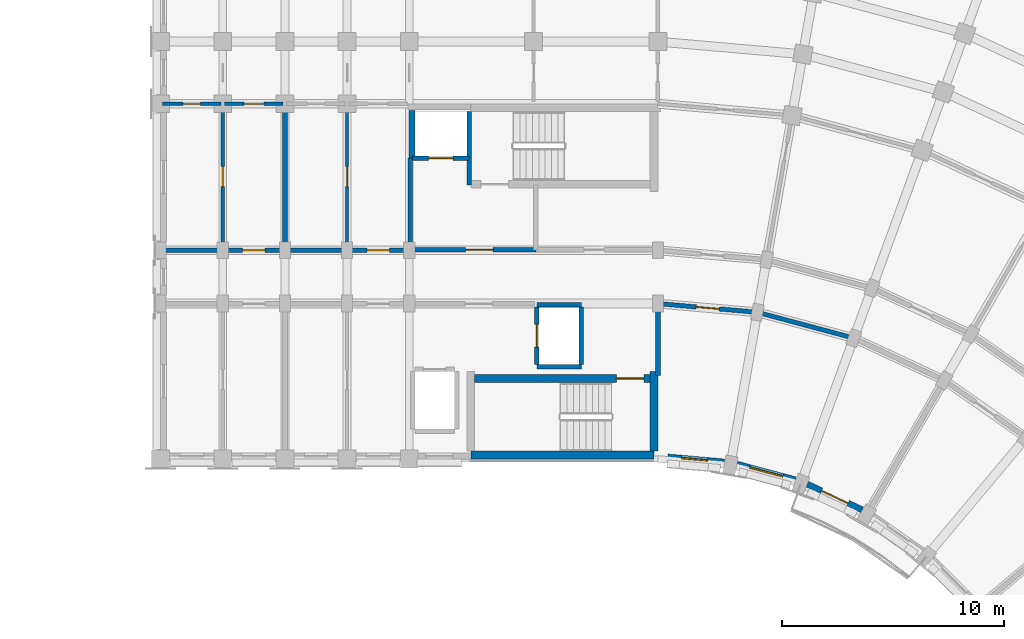
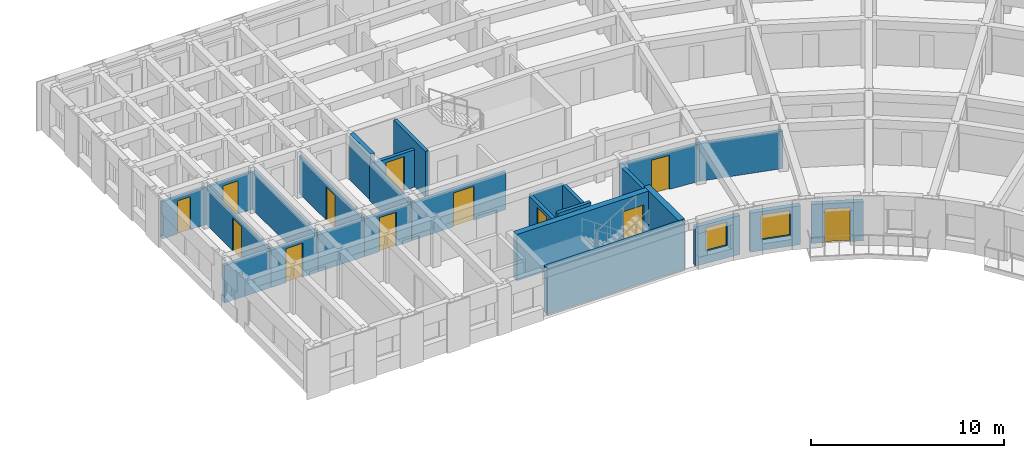
# One storey, part 49 of 76: 27 walls, 12 doors, 2 windows, 14 openings.
"""IFC4 building model written with IfcOpenShell, lengths in metres."""

from ifc_helpers import new_model, si_unit, direction, frame, frame_2d, origin, place, context, subcontext, project, spatial, rectangle, extrude, material, layer, layer_set, type_object, element, fill, save


model = new_model("IFC4")

# Units and contexts
model_context = context("Model", 3, precision=1e-05, world=origin(), true_north=direction((0.0, 1.0)))
body_context = subcontext(model_context, "Body", "Model", "MODEL_VIEW")
ifc_project = project(units=[si_unit("LENGTHUNIT", "METRE"), si_unit("AREAUNIT", "SQUARE_METRE"), si_unit("VOLUMEUNIT", "CUBIC_METRE"), si_unit("PLANEANGLEUNIT", "RADIAN"), si_unit("MASSUNIT", "GRAM", prefix="KILO")], contexts=[model_context])

# Site, building, storey
site_placement = place(None, origin())
site = spatial("IfcSite", under=ifc_project, at=site_placement, CompositionType="ELEMENT")
building_placement = place(site_placement, origin())
building = spatial("IfcBuilding", under=site, at=building_placement, Name="Kiranvali Square Residences", CompositionType="ELEMENT")
storey_placement = place(building_placement, frame((0.0, 0.0, 8.699951171875)))
storey = spatial("IfcBuildingStorey", under=building, at=storey_placement, Name="L02", CompositionType="ELEMENT", Elevation=8.699951171875)

# Wall, opening, door
ifc_material_1 = material(Name="Autoclaved aerated concrete blockwork masonry", Category="masonry")
ifc_layer_1 = layer(ifc_material_1, 0.199951171875)
ifc_layer_set_1 = layer_set([ifc_layer_1], Name="Autoclaved aerated concrete blockwork masonry")
wall_type_1 = type_object("IfcWallType", Name="WL-COR-200", PredefinedType="STANDARD", material=ifc_layer_set_1)
wall_1_placement = place(storey_placement, frame((108.60009765625, 116.0, 0.0), z_axis=(0.0, 0.0, 1.0), x_axis=(-1.0, 0.0, 0.0)))
wall_1 = element("IfcWall", 1, at=wall_1_placement, inside=storey, type_object=wall_type_1, Name="L02 architectural wall WL-L02-B-A1CO-0", PredefinedType="STANDARD", context=body_context, shape_type="SweptSolid", body=[
    extrude(rectangle(XDim=2.800048828125, YDim=0.199951171875, at=frame_2d((1.39990234375, 0.0))), origin(), (0.0, 0.0, 1.0), 2.3720703125),
])
opening_1_placement = place(wall_1_placement, frame((0.89990234375, 0.0, 0.0)))
opening_1 = element("IfcOpeningElement", 2, at=opening_1_placement, cuts=wall_1, Name="Opening FD-APT-60", PredefinedType="OPENING", context=body_context, shape_type="SweptSolid", body=[
    extrude(rectangle(XDim=1.0, YDim=2.14990234375, at=frame_2d((0.5, 1.074951171875))), frame((0.0, 0.10986328125, 0.0), z_axis=(0.0, -1.0, 0.0), x_axis=(1.0, 0.0, 0.0)), (0.0, 0.0, 1.0), 0.219970703125),
])
ifc_material_2 = material(Name="Fire-rated acoustic hardwood and mineral-core door assembly", Category="wood")
door_type_1 = type_object("IfcDoorType", Name="DR-APT-1000", OperationType="NOTDEFINED", PredefinedType="DOOR", material=ifc_material_2)
door_1_placement = place(opening_1_placement, origin())
door_1 = element("IfcDoor", 3, at=door_1_placement, inside=storey, type_object=door_type_1, Name="L02 door DR-L02-1077 (DR-APT-1000)", OperationType="SINGLE_SWING_LEFT", OverallHeight=2.14990234375, OverallWidth=1.0, PredefinedType="DOOR", context=body_context, shape_type="SweptSolid", body=[
    extrude(rectangle(XDim=1.0, YDim=2.14990234375, at=frame_2d((0.5, 1.074951171875))), frame((0.0, 0.02490234375, 0.0), z_axis=(0.0, -1.0, 0.0), x_axis=(1.0, 0.0, 0.0)), (0.0, 0.0, 1.0), 0.050048828125),
])
fill(opening_1, door_1)

# Wall
wall_2_placement = place(storey_placement, frame((105.800048828125, 116.0, 0.0), z_axis=(0.0, 0.0, 1.0), x_axis=(-1.0, 0.0, 0.0)))
element("IfcWall", 4, at=wall_2_placement, inside=storey, type_object=wall_type_1, Name="L02 architectural wall WL-L02-B-A1CO-1", PredefinedType="STANDARD", context=body_context, shape_type="SweptSolid", body=[
    extrude(rectangle(XDim=2.800048828125, YDim=0.199951171875, at=frame_2d((1.39990234375, 0.0))), origin(), (0.0, 0.0, 1.0), 2.3720703125),
])

# Wall, opening, door
wall_3_placement = place(storey_placement, frame((103.0, 116.0, 0.0), z_axis=(0.0, 0.0, 1.0), x_axis=(-1.0, 0.0, 0.0)))
wall_3 = element("IfcWall", 5, at=wall_3_placement, inside=storey, type_object=wall_type_1, Name="L02 architectural wall WL-L02-B-A1CO-2", PredefinedType="STANDARD", context=body_context, shape_type="SweptSolid", body=[
    extrude(rectangle(XDim=2.800048828125, YDim=0.199951171875, at=frame_2d((1.39990234375, 0.0))), origin(), (0.0, 0.0, 1.0), 2.3720703125),
])
opening_2_placement = place(wall_3_placement, frame((0.89990234375, 0.0, 0.0)))
opening_2 = element("IfcOpeningElement", 6, at=opening_2_placement, cuts=wall_3, Name="Opening FD-APT-60", PredefinedType="OPENING", context=body_context, shape_type="SweptSolid", body=[
    extrude(rectangle(XDim=1.0, YDim=2.14990234375, at=frame_2d((0.5, 1.074951171875))), frame((0.0, 0.10986328125, 0.0), z_axis=(0.0, -1.0, 0.0), x_axis=(1.0, 0.0, 0.0)), (0.0, 0.0, 1.0), 0.219970703125),
])
door_2_placement = place(opening_2_placement, origin())
door_2 = element("IfcDoor", 7, at=door_2_placement, inside=storey, type_object=door_type_1, Name="L02 door DR-L02-1081 (DR-APT-1000)", OperationType="SINGLE_SWING_LEFT", OverallHeight=2.14990234375, OverallWidth=1.0, PredefinedType="DOOR", context=body_context, shape_type="SweptSolid", body=[
    extrude(rectangle(XDim=1.0, YDim=2.14990234375, at=frame_2d((0.5, 1.074951171875))), frame((0.0, 0.02490234375, 0.0), z_axis=(0.0, -1.0, 0.0), x_axis=(1.0, 0.0, 0.0)), (0.0, 0.0, 1.0), 0.050048828125),
])
fill(opening_2, door_2)

# Wall
wall_4_placement = place(storey_placement, frame((100.199951171875, 116.0, 0.0), z_axis=(0.0, 0.0, 1.0), x_axis=(-1.0, 0.0, 0.0)))
element("IfcWall", 8, at=wall_4_placement, inside=storey, type_object=wall_type_1, Name="L02 architectural wall WL-L02-B-A1CO-3", PredefinedType="STANDARD", context=body_context, shape_type="SweptSolid", body=[
    extrude(rectangle(XDim=2.800048828125, YDim=0.199951171875, at=frame_2d((1.39990234375, 0.0))), origin(), (0.0, 0.0, 1.0), 2.3720703125),
])

# Wall, opening, door
wall_5_placement = place(storey_placement, frame((119.800048828125, 113.60009765625, 0.0), z_axis=(0.0, 0.0, 1.0), x_axis=(0.996191949488, -0.087187153726, 0.0)))
wall_5 = element("IfcWall", 9, at=wall_5_placement, inside=storey, type_object=wall_type_1, Name="L02 architectural wall WL-L02-B-CCI-0", PredefinedType="STANDARD", context=body_context, shape_type="SweptSolid", body=[
    extrude(rectangle(XDim=4.4970703125, YDim=0.199951171875, at=frame_2d((2.24853515625, 0.0))), origin(), (0.0, 0.0, 1.0), 2.3720703125),
])
opening_3_placement = place(wall_5_placement, frame((1.728515625, 0.0, 0.0)))
opening_3 = element("IfcOpeningElement", 10, at=opening_3_placement, cuts=wall_5, Name="Opening FD-APT-60B", PredefinedType="OPENING", context=body_context, shape_type="SweptSolid", body=[
    extrude(rectangle(XDim=1.0400390625, YDim=2.14990234375, at=frame_2d((0.52001953125, 1.074951171875))), frame((0.0, 0.10986328125, 0.0), z_axis=(0.0, -1.0, 0.0), x_axis=(1.0, 0.0, 0.0)), (0.0, 0.0, 1.0), 0.219970703125),
])
door_type_2 = type_object("IfcDoorType", Name="DR-APT-1040", OperationType="NOTDEFINED", PredefinedType="DOOR", material=ifc_material_2)
door_3_placement = place(opening_3_placement, origin())
door_3 = element("IfcDoor", 11, at=door_3_placement, inside=storey, type_object=door_type_2, Name="L02 door DR-L02-1109 (DR-APT-1040)", OperationType="SINGLE_SWING_LEFT", OverallHeight=2.14990234375, OverallWidth=1.0400390625, PredefinedType="DOOR", context=body_context, shape_type="SweptSolid", body=[
    extrude(rectangle(XDim=1.0400390625, YDim=2.14990234375, at=frame_2d((0.52001953125, 1.074951171875))), frame((0.0, 0.02490234375, 0.0), z_axis=(0.0, -1.0, 0.0), x_axis=(1.0, 0.0, 0.0)), (0.0, 0.0, 1.0), 0.050048828125),
])
fill(opening_3, door_3)

# Walls
wall_6_placement = place(storey_placement, frame((124.280029296875, 113.2080078125, 0.0), z_axis=(0.0, 0.0, 1.0), x_axis=(0.965934240054, -0.258787642463, 0.0)))
element("IfcWall", 12, at=wall_6_placement, inside=storey, type_object=wall_type_1, Name="L02 architectural wall WL-L02-B-CCI-1", PredefinedType="STANDARD", context=body_context, shape_type="SweptSolid", body=[
    extrude(rectangle(XDim=4.497314453125, YDim=0.199951171875, at=frame_2d((2.24853515625, 0.0))), origin(), (0.0, 0.0, 1.0), 2.3720703125),
])
ifc_layer_2 = layer(ifc_material_1, 0.219970703125)
ifc_layer_set_2 = layer_set([ifc_layer_2], Name="Autoclaved aerated concrete blockwork masonry")
wall_type_2 = type_object("IfcWallType", Name="WL-DEM-220", PredefinedType="STANDARD", material=ifc_layer_set_2)
wall_7_placement = place(storey_placement, frame((103.0, 116.050048828125, 0.0), z_axis=(0.0, 0.0, 1.0), x_axis=(0.0, 1.0, 0.0)))
element("IfcWall", 13, at=wall_7_placement, inside=storey, type_object=wall_type_2, Name="L02 architectural wall WL-L02-B-A1TO1-2", PredefinedType="STANDARD", context=body_context, shape_type="SweptSolid", body=[
    extrude(rectangle(XDim=6.530029296875, YDim=0.219970703125, at=frame_2d((3.26513671875, 0.0))), origin(), (0.0, 0.0, 1.0), 2.3720703125),
])
wall_8_placement = place(storey_placement, frame((119.800048828125, 110.35009765625, 0.0), z_axis=(0.0, 0.0, 1.0), x_axis=(0.0, 1.0, 0.0)))
element("IfcWall", 14, at=wall_8_placement, inside=storey, type_object=wall_type_2, Name="L02 architectural wall WL-L02-B-RADI-0", PredefinedType="STANDARD", context=body_context, shape_type="SweptSolid", body=[
    extrude(rectangle(XDim=3.199951171875, YDim=0.219970703125, at=frame_2d((1.60009765625, 0.0))), origin(), (0.0, 0.0, 1.0), 2.3720703125),
])

# Wall, opening, window
ifc_material_3 = material(Name="Breathable lime-rendered clay brick masonry", Category="masonry")
ifc_layer_3 = layer(ifc_material_3, 0.27490234375)
ifc_layer_set_3 = layer_set([ifc_layer_3], Name="Breathable lime-rendered clay brick masonry")
wall_type_3 = type_object("IfcWallType", Name="WL-EXT-275", PredefinedType="STANDARD", material=ifc_layer_set_3)
wall_9_placement = place(storey_placement, frame((120.249267578125, 106.686279296875, 0.0), z_axis=(0.0, 0.0, 1.0), x_axis=(0.996194235595, -0.08716102895, 0.0)))
wall_9 = element("IfcWall", 15, at=wall_9_placement, inside=storey, type_object=wall_type_3, Name="L02 exterior wall B-L02-GDN-00", PredefinedType="STANDARD", context=body_context, shape_type="SweptSolid", body=[
    extrude(rectangle(XDim=2.557373046875, YDim=0.27490234375, at=frame_2d((1.27880859375, 0.0))), origin(), (0.0, 0.0, 1.0), 2.47216796875),
])
opening_4_placement = place(wall_9_placement, frame((0.5986328125, 0.0, 0.77197265625)))
opening_4 = element("IfcOpeningElement", 16, at=opening_4_placement, cuts=wall_9, Name="Opening W-06", PredefinedType="OPENING", context=body_context, shape_type="SweptSolid", body=[
    extrude(rectangle(XDim=1.199951171875, YDim=1.5, at=frame_2d((0.60009765625, 0.75))), frame((0.0, 0.1474609375, 0.0), z_axis=(0.0, -1.0, 0.0), x_axis=(1.0, 0.0, 0.0)), (0.0, 0.0, 1.0), 0.294921875),
])
ifc_material_4 = material(Name="Solar-control low-e double glazing", Category="glass")
window_type_1 = type_object("IfcWindowType", Name="WIN-RES-1200x1500", PartitioningType="SINGLE_PANEL", PredefinedType="WINDOW", material=ifc_material_4)
window_1_placement = place(opening_4_placement, origin())
window_1 = element("IfcWindow", 17, at=window_1_placement, inside=storey, type_object=window_type_1, Name="L02 recessed window B-L02-GDN-00", OverallHeight=1.5, OverallWidth=1.199951171875, PartitioningType="SINGLE_PANEL", PredefinedType="WINDOW", context=body_context, shape_type="SweptSolid", body=[
    extrude(rectangle(XDim=1.199951171875, YDim=1.5, at=frame_2d((0.60009765625, 0.75))), frame((0.0, 0.030029296875, 0.0), z_axis=(0.0, -1.0, 0.0), x_axis=(1.0, 0.0, 0.0)), (0.0, 0.0, 1.0), 0.06005859375),
])
fill(opening_4, window_1)

wall_10_placement = place(storey_placement, frame((123.3671875, 106.36279296875, 0.0), z_axis=(0.0, 0.0, 1.0), x_axis=(0.965925595341, -0.258819907011, 0.0)))
wall_10 = element("IfcWall", 18, at=wall_10_placement, inside=storey, type_object=wall_type_3, Name="L02 exterior wall B-L02-GDN-01", PredefinedType="STANDARD", context=body_context, shape_type="SweptSolid", body=[
    extrude(rectangle(XDim=2.717529296875, YDim=0.27490234375, at=frame_2d((1.35888671875, 0.0))), origin(), (0.0, 0.0, 1.0), 2.47216796875),
])
opening_5_placement = place(wall_10_placement, frame((0.583740234375, 0.0, 0.672119140625)))
opening_5 = element("IfcOpeningElement", 19, at=opening_5_placement, cuts=wall_10, Name="Opening W-18", PredefinedType="OPENING", context=body_context, shape_type="SweptSolid", body=[
    extrude(rectangle(XDim=1.550048828125, YDim=1.60009765625, at=frame_2d((0.77490234375, 0.800048828125))), frame((0.0, 0.1474609375, 0.0), z_axis=(0.0, -1.0, 0.0), x_axis=(1.0, 0.0, 0.0)), (0.0, 0.0, 1.0), 0.294921875),
])
window_type_2 = type_object("IfcWindowType", Name="WIN-GDN-1550x1600", PartitioningType="DOUBLE_PANEL_VERTICAL", PredefinedType="WINDOW", material=ifc_material_4)
window_2_placement = place(opening_5_placement, origin())
window_2 = element("IfcWindow", 20, at=window_2_placement, inside=storey, type_object=window_type_2, Name="L02 recessed window B-L02-GDN-01", OverallHeight=1.60009765625, OverallWidth=1.550048828125, PartitioningType="DOUBLE_PANEL_VERTICAL", PredefinedType="WINDOW", context=body_context, shape_type="SweptSolid", body=[
    extrude(rectangle(XDim=1.550048828125, YDim=1.60009765625, at=frame_2d((0.77490234375, 0.800048828125))), frame((0.0, 0.030029296875, 0.0), z_axis=(0.0, -1.0, 0.0), x_axis=(1.0, 0.0, 0.0)), (0.0, 0.0, 1.0), 0.06005859375),
])
fill(opening_5, window_2)

# Wall, opening, door
wall_11_placement = place(storey_placement, frame((126.536376953125, 105.461181640625, 0.0), z_axis=(0.0, 0.0, 1.0), x_axis=(0.906311629168, -0.422610022166, 0.0)))
wall_11 = element("IfcWall", 21, at=wall_11_placement, inside=storey, type_object=wall_type_3, Name="L02 exterior wall B-L02-GDN-02", PredefinedType="STANDARD", context=body_context, shape_type="SweptSolid", body=[
    extrude(rectangle(XDim=2.717529296875, YDim=0.27490234375, at=frame_2d((1.35888671875, 0.0))), origin(), (0.0, 0.0, 1.0), 2.47216796875),
])
opening_6_placement = place(wall_11_placement, frame((0.69873046875, 0.0, 0.0)))
opening_6 = element("IfcOpeningElement", 22, at=opening_6_placement, cuts=wall_11, Name="Opening ED-BAL-3", PredefinedType="OPENING", context=body_context, shape_type="SweptSolid", body=[
    extrude(rectangle(XDim=1.320068359375, YDim=2.14990234375, at=frame_2d((0.66015625, 1.074951171875))), frame((0.0, 0.1474609375, 0.0), z_axis=(0.0, -1.0, 0.0), x_axis=(1.0, 0.0, 0.0)), (0.0, 0.0, 1.0), 0.294921875),
])
ifc_material_5 = material(Name="Anodised bronze aluminium framing", Category="aluminium")
door_type_3 = type_object("IfcDoorType", Name="DR-BAL-1320", OperationType="NOTDEFINED", PredefinedType="DOOR", material=ifc_material_5)
door_4_placement = place(opening_6_placement, frame((1.320068359375, 0.0, 0.0), z_axis=(0.0, 0.0, 1.0), x_axis=(-1.0, 0.0, 0.0)))
door_4 = element("IfcDoor", 23, at=door_4_placement, inside=storey, type_object=door_type_3, Name="L02 balcony terrace door", OperationType="SINGLE_SWING_RIGHT", OverallHeight=2.14990234375, OverallWidth=1.320068359375, PredefinedType="DOOR", context=body_context, shape_type="SweptSolid", body=[
    extrude(rectangle(XDim=1.320068359375, YDim=2.14990234375, at=frame_2d((0.66015625, 1.074951171875))), frame((0.0, 0.02490234375, 0.0), z_axis=(0.0, -1.0, 0.0), x_axis=(1.0, 0.0, 0.0)), (0.0, 0.0, 1.0), 0.050048828125),
])
fill(opening_6, door_4)

ifc_layer_4 = layer(ifc_material_1, 0.199951171875)
ifc_layer_set_4 = layer_set([ifc_layer_4], Name="Autoclaved aerated concrete blockwork masonry")
wall_type_4 = type_object("IfcWallType", Name="WL-FFL-200", PredefinedType="STANDARD", material=ifc_layer_set_4)
wall_12_placement = place(storey_placement, frame((114.300048828125, 116.02001953125, 0.0), z_axis=(0.0, 0.0, 1.0), x_axis=(-1.0, 0.0, 0.0)))
wall_12 = element("IfcWall", 24, at=wall_12_placement, inside=storey, type_object=wall_type_4, Name="L02 architectural wall WL-L02-B-FF-COR", PredefinedType="STANDARD", context=body_context, shape_type="SweptSolid", body=[
    extrude(rectangle(XDim=5.650146484375, YDim=0.199951171875, at=frame_2d((2.8251953125, 0.0))), origin(), (0.0, 0.0, 1.0), 2.3720703125),
])
opening_7_placement = place(wall_12_placement, frame((1.922607421875, 0.0, 0.0)))
opening_7 = element("IfcOpeningElement", 25, at=opening_7_placement, cuts=wall_12, Name="Opening FD-ST-120", PredefinedType="OPENING", context=body_context, shape_type="SweptSolid", body=[
    extrude(rectangle(XDim=1.239990234375, YDim=2.14990234375, at=frame_2d((0.6201171875, 1.074951171875))), frame((0.0, 0.10986328125, 0.0), z_axis=(0.0, -1.0, 0.0), x_axis=(1.0, 0.0, 0.0)), (0.0, 0.0, 1.0), 0.219970703125),
])
door_type_4 = type_object("IfcDoorType", Name="DR-FD120-1200", OperationType="NOTDEFINED", PredefinedType="DOOR", material=ifc_material_2)
door_5_placement = place(opening_7_placement, origin())
door_5 = element("IfcDoor", 26, at=door_5_placement, inside=storey, type_object=door_type_4, Name="L02 door DR-L02-1063 (DR-FD120-1200)", OperationType="SINGLE_SWING_LEFT", OverallHeight=2.14990234375, OverallWidth=1.239990234375, PredefinedType="DOOR", context=body_context, shape_type="SweptSolid", body=[
    extrude(rectangle(XDim=1.239990234375, YDim=2.14990234375, at=frame_2d((0.6201171875, 1.074951171875))), frame((0.0, 0.02490234375, 0.0), z_axis=(0.0, -1.0, 0.0), x_axis=(1.0, 0.0, 0.0)), (0.0, 0.0, 1.0), 0.050048828125),
])
fill(opening_7, door_5)

# Wall
wall_13_placement = place(storey_placement, frame((108.64990234375, 116.02001953125, 0.0), z_axis=(0.0, 0.0, 1.0), x_axis=(0.0, 1.0, 0.0)))
element("IfcWall", 27, at=wall_13_placement, inside=storey, type_object=wall_type_4, Name="L02 architectural wall WL-L02-B-FF-END", PredefinedType="STANDARD", context=body_context, shape_type="SweptSolid", body=[
    extrude(rectangle(XDim=4.1298828125, YDim=0.199951171875, at=frame_2d((2.06494140625, 0.0))), origin(), (0.0, 0.0, 1.0), 2.3720703125),
])

# Wall, opening, door
wall_14_placement = place(storey_placement, frame((111.300048828125, 120.14990234375, 0.0), z_axis=(0.0, 0.0, 1.0), x_axis=(-1.0, 0.0, 0.0)))
wall_14 = element("IfcWall", 28, at=wall_14_placement, inside=storey, type_object=wall_type_4, Name="L02 architectural wall WL-L02-B-FF-LFT", PredefinedType="STANDARD", context=body_context, shape_type="SweptSolid", body=[
    extrude(rectangle(XDim=2.550048828125, YDim=0.199951171875, at=frame_2d((1.27490234375, 0.0))), origin(), (0.0, 0.0, 1.0), 2.3720703125),
])
opening_8_placement = place(wall_14_placement, frame((0.72509765625, 0.0, 0.0)))
opening_8 = element("IfcOpeningElement", 29, at=opening_8_placement, cuts=wall_14, Name="Opening LD-FF-110", PredefinedType="OPENING", context=body_context, shape_type="SweptSolid", body=[
    extrude(rectangle(XDim=1.10009765625, YDim=2.14990234375, at=frame_2d((0.550048828125, 1.074951171875))), frame((0.0, 0.10986328125, 0.0), z_axis=(0.0, -1.0, 0.0), x_axis=(1.0, 0.0, 0.0)), (0.0, 0.0, 1.0), 0.219970703125),
])
door_type_5 = type_object("IfcDoorType", Name="DR-LIFT-FF-1100", OperationType="SLIDING_TO_LEFT", PredefinedType="DOOR", material=ifc_material_2)
door_6_placement = place(opening_8_placement, origin())
door_6 = element("IfcDoor", 30, at=door_6_placement, inside=storey, type_object=door_type_5, Name="L02 door DR-L02-1065 (DR-LIFT-FF-1100)", OperationType="SLIDING_TO_LEFT", OverallHeight=2.14990234375, OverallWidth=1.10009765625, PredefinedType="DOOR", context=body_context, shape_type="SweptSolid", body=[
    extrude(rectangle(XDim=1.10009765625, YDim=2.14990234375, at=frame_2d((0.550048828125, 1.074951171875))), frame((0.0, 0.02490234375, 0.0), z_axis=(0.0, -1.0, 0.0), x_axis=(1.0, 0.0, 0.0)), (0.0, 0.0, 1.0), 0.050048828125),
])
fill(opening_8, door_6)

ifc_material_6 = material(Name="Acoustic gypsum board drylined partition", Category="gypsum")
ifc_layer_5 = layer(ifc_material_6, 0.14990234375)
ifc_layer_set_5 = layer_set([ifc_layer_5], Name="Acoustic gypsum board drylined partition")
wall_type_5 = type_object("IfcWallType", Name="WL-PRT-150", PredefinedType="PARTITIONING", material=ifc_layer_set_5)
wall_15_placement = place(storey_placement, frame((105.800048828125, 116.050048828125, 0.0), z_axis=(0.0, 0.0, 1.0), x_axis=(0.0, 1.0, 0.0)))
wall_15 = element("IfcWall", 31, at=wall_15_placement, inside=storey, type_object=wall_type_5, Name="L02 architectural wall WL-L02-B-A1TO1-1", PredefinedType="PARTITIONING", context=body_context, shape_type="SweptSolid", body=[
    extrude(rectangle(XDim=6.530029296875, YDim=0.14990234375, at=frame_2d((3.26513671875, 0.0))), origin(), (0.0, 0.0, 1.0), 2.3720703125),
])
opening_9_placement = place(wall_15_placement, frame((2.81494140625, 0.0, 0.0)))
opening_9 = element("IfcOpeningElement", 32, at=opening_9_placement, cuts=wall_15, Name="Opening ID-1", PredefinedType="OPENING", context=body_context, shape_type="SweptSolid", body=[
    extrude(rectangle(XDim=0.89990234375, YDim=2.10009765625, at=frame_2d((0.449951171875, 1.050048828125))), frame((0.0, 0.0849609375, 0.0), z_axis=(0.0, -1.0, 0.0), x_axis=(1.0, 0.0, 0.0)), (0.0, 0.0, 1.0), 0.169921875),
])
ifc_material_7 = material(Name="Solid seasoned teak hardwood joinery", Category="wood")
door_type_6 = type_object("IfcDoorType", Name="DR-INT-900", OperationType="NOTDEFINED", PredefinedType="DOOR", material=ifc_material_7)
door_7_placement = place(opening_9_placement, origin())
door_7 = element("IfcDoor", 33, at=door_7_placement, inside=storey, type_object=door_type_6, Name="L02 door DR-L02-1085 (DR-INT-900)", OperationType="SINGLE_SWING_LEFT", OverallHeight=2.10009765625, OverallWidth=0.89990234375, PredefinedType="DOOR", context=body_context, shape_type="SweptSolid", body=[
    extrude(rectangle(XDim=0.89990234375, YDim=2.10009765625, at=frame_2d((0.449951171875, 1.050048828125))), frame((0.0, 0.02490234375, 0.0), z_axis=(0.0, -1.0, 0.0), x_axis=(1.0, 0.0, 0.0)), (0.0, 0.0, 1.0), 0.050048828125),
])
fill(opening_9, door_7)

wall_16_placement = place(storey_placement, frame((100.199951171875, 116.050048828125, 0.0), z_axis=(0.0, 0.0, 1.0), x_axis=(0.0, 1.0, 0.0)))
wall_16 = element("IfcWall", 34, at=wall_16_placement, inside=storey, type_object=wall_type_5, Name="L02 architectural wall WL-L02-B-A1TO1-3", PredefinedType="PARTITIONING", context=body_context, shape_type="SweptSolid", body=[
    extrude(rectangle(XDim=6.530029296875, YDim=0.14990234375, at=frame_2d((3.26513671875, 0.0))), origin(), (0.0, 0.0, 1.0), 2.3720703125),
])
opening_10_placement = place(wall_16_placement, frame((2.81494140625, 0.0, 0.0)))
opening_10 = element("IfcOpeningElement", 35, at=opening_10_placement, cuts=wall_16, Name="Opening ID-1", PredefinedType="OPENING", context=body_context, shape_type="SweptSolid", body=[
    extrude(rectangle(XDim=0.89990234375, YDim=2.10009765625, at=frame_2d((0.449951171875, 1.050048828125))), frame((0.0, 0.0849609375, 0.0), z_axis=(0.0, -1.0, 0.0), x_axis=(1.0, 0.0, 0.0)), (0.0, 0.0, 1.0), 0.169921875),
])
door_8_placement = place(opening_10_placement, frame((0.89990234375, 0.0, 0.0), z_axis=(0.0, 0.0, 1.0), x_axis=(-1.0, 0.0, 0.0)))
door_8 = element("IfcDoor", 36, at=door_8_placement, inside=storey, type_object=door_type_6, Name="L02 door DR-L02-1088 (DR-INT-900)", OperationType="SINGLE_SWING_RIGHT", OverallHeight=2.10009765625, OverallWidth=0.89990234375, PredefinedType="DOOR", context=body_context, shape_type="SweptSolid", body=[
    extrude(rectangle(XDim=0.89990234375, YDim=2.10009765625, at=frame_2d((0.449951171875, 1.050048828125))), frame((0.0, 0.02490234375, 0.0), z_axis=(0.0, -1.0, 0.0), x_axis=(1.0, 0.0, 0.0)), (0.0, 0.0, 1.0), 0.050048828125),
])
fill(opening_10, door_8)

# Walls
ifc_layer_6 = layer(ifc_material_1, 0.199951171875)
ifc_layer_set_6 = layer_set([ifc_layer_6], Name="Autoclaved aerated concrete blockwork masonry")
wall_type_6 = type_object("IfcWallType", Name="WL-SHF-200", PredefinedType="STANDARD", material=ifc_layer_set_6)
wall_17_placement = place(storey_placement, frame((111.300048828125, 118.949951171875, 0.0), z_axis=(0.0, 0.0, 1.0), x_axis=(0.0, 1.0, 0.0)))
element("IfcWall", 37, at=wall_17_placement, inside=storey, type_object=wall_type_6, Name="L02 architectural wall WL-L02-B-FF-SHF", PredefinedType="STANDARD", context=body_context, shape_type="SweptSolid", body=[
    extrude(rectangle(XDim=3.300048828125, YDim=0.199951171875, at=frame_2d((1.64990234375, 0.0))), origin(), (0.0, 0.0, 1.0), 2.929931640625),
])
wall_18_placement = place(storey_placement, frame((116.35009765625, 110.75, 0.0), z_axis=(0.0, 0.0, 1.0), x_axis=(-1.0, 0.0, 0.0)))
element("IfcWall", 38, at=wall_18_placement, inside=storey, type_object=wall_type_6, Name="L02 architectural wall WL-L02-B-LP2-S0", PredefinedType="STANDARD", context=body_context, shape_type="SweptSolid", body=[
    extrude(rectangle(XDim=2.0, YDim=0.199951171875, at=frame_2d((1.0, 0.0))), origin(), (0.0, 0.0, 1.0), 2.929931640625),
])
wall_19_placement = place(storey_placement, frame((116.35009765625, 113.550048828125, 0.0), z_axis=(0.0, 0.0, 1.0), x_axis=(-1.0, 0.0, 0.0)))
element("IfcWall", 39, at=wall_19_placement, inside=storey, type_object=wall_type_6, Name="L02 architectural wall WL-L02-B-LP2-B", PredefinedType="STANDARD", context=body_context, shape_type="SweptSolid", body=[
    extrude(rectangle(XDim=2.0, YDim=0.199951171875, at=frame_2d((1.0, 0.0))), origin(), (0.0, 0.0, 1.0), 2.3720703125),
])
wall_20_placement = place(storey_placement, frame((116.35009765625, 110.85009765625, 0.0), z_axis=(0.0, 0.0, 1.0), x_axis=(0.0, 1.0, 0.0)))
element("IfcWall", 40, at=wall_20_placement, inside=storey, type_object=wall_type_6, Name="L02 architectural wall WL-L02-B-LP2-S1", PredefinedType="STANDARD", context=body_context, shape_type="SweptSolid", body=[
    extrude(rectangle(XDim=2.599853515625, YDim=0.199951171875, at=frame_2d((1.2998046875, 0.0))), origin(), (0.0, 0.0, 1.0), 2.3720703125),
])

# Wall, opening, door
wall_21_placement = place(storey_placement, frame((114.35009765625, 110.85009765625, 0.0), z_axis=(0.0, 0.0, 1.0), x_axis=(0.0, 1.0, 0.0)))
wall_21 = element("IfcWall", 41, at=wall_21_placement, inside=storey, type_object=wall_type_6, Name="L02 architectural wall WL-L02-B-LP2-F", PredefinedType="STANDARD", context=body_context, shape_type="SweptSolid", body=[
    extrude(rectangle(XDim=2.599853515625, YDim=0.199951171875, at=frame_2d((1.2998046875, 0.0))), origin(), (0.0, 0.0, 1.0), 2.3720703125),
])
opening_11_placement = place(wall_21_placement, frame((0.7900390625, 0.0, 0.0)))
opening_11 = element("IfcOpeningElement", 42, at=opening_11_placement, cuts=wall_21, Name="Opening LD-PAX-100", PredefinedType="OPENING", context=body_context, shape_type="SweptSolid", body=[
    extrude(rectangle(XDim=1.02001953125, YDim=2.14990234375, at=frame_2d((0.510009765625, 1.074951171875))), frame((0.0, 0.10986328125, 0.0), z_axis=(0.0, -1.0, 0.0), x_axis=(1.0, 0.0, 0.0)), (0.0, 0.0, 1.0), 0.219970703125),
])
door_type_7 = type_object("IfcDoorType", Name="DR-LIFT-1000", OperationType="SLIDING_TO_RIGHT", PredefinedType="DOOR", material=ifc_material_2)
door_9_placement = place(opening_11_placement, origin())
door_9 = element("IfcDoor", 43, at=door_9_placement, inside=storey, type_object=door_type_7, Name="L02 door DR-L02-1070 (DR-LIFT-1000)", OperationType="SLIDING_TO_RIGHT", OverallHeight=2.14990234375, OverallWidth=1.02001953125, PredefinedType="DOOR", context=body_context, shape_type="SweptSolid", body=[
    extrude(rectangle(XDim=1.02001953125, YDim=2.14990234375, at=frame_2d((0.510009765625, 1.074951171875))), frame((0.0, 0.02490234375, 0.0), z_axis=(0.0, -1.0, 0.0), x_axis=(1.0, 0.0, 0.0)), (0.0, 0.0, 1.0), 0.050048828125),
])
fill(opening_11, door_9)

# Walls
ifc_material_8 = material(Name="Concrete M45 (45 MPa)", Category="concrete")
ifc_layer_7 = layer(ifc_material_8, 0.25)
ifc_layer_set_7 = layer_set([ifc_layer_7], Name="Concrete M45 (45 MPa)")
wall_type_7 = type_object("IfcWallType", Name="WL-SHR-250", PredefinedType="SHEAR", material=ifc_layer_set_7)
wall_22_placement = place(storey_placement, frame((108.72509765625, 120.14990234375, 0.0), z_axis=(0.0, 0.0, 1.0), x_axis=(0.0, 1.0, 0.0)))
element("IfcWall", 44, at=wall_22_placement, inside=storey, type_object=wall_type_7, Name="Block B core shear wall SW-BFF-SD-L02", PredefinedType="SHEAR", context=body_context, shape_type="SweptSolid", body=[
    extrude(rectangle(XDim=2.150146484375, YDim=0.25, at=frame_2d((1.0751953125, 0.0))), origin(), (0.0, 0.0, 1.0), 2.929931640625),
])
ifc_material_9 = material(Name="Concrete M50 (50 MPa)", Category="concrete")
ifc_layer_8 = layer(ifc_material_9, 0.35009765625)
ifc_layer_set_8 = layer_set([ifc_layer_8], Name="Concrete M50 (50 MPa)")
wall_type_8 = type_object("IfcWallType", Name="WL-SHR-350", PredefinedType="SHEAR", material=ifc_layer_set_8)
wall_23_placement = place(storey_placement, frame((119.625, 106.77490234375, 0.0), z_axis=(0.0, 0.0, 1.0), x_axis=(-1.0, 0.0, 0.0)))
element("IfcWall", 45, at=wall_23_placement, inside=storey, type_object=wall_type_8, Name="Block B core shear wall SW-B2-OUT-L02", PredefinedType="SHEAR", context=body_context, shape_type="SweptSolid", body=[
    extrude(rectangle(XDim=8.25, YDim=0.35009765625, at=frame_2d((4.125, 0.0))), origin(), (0.0, 0.0, 1.0), 2.929931640625),
])

# Wall, opening, door
wall_24_placement = place(storey_placement, frame((119.449951171875, 110.22509765625, 0.0), z_axis=(0.0, 0.0, 1.0), x_axis=(-1.0, 0.0, 0.0)))
wall_24 = element("IfcWall", 46, at=wall_24_placement, inside=storey, type_object=wall_type_8, Name="Block B core shear wall SW-B2-IN-L02", PredefinedType="SHEAR", context=body_context, shape_type="SweptSolid", body=[
    extrude(rectangle(XDim=7.89990234375, YDim=0.35009765625, at=frame_2d((3.949951171875, 0.0))), origin(), (0.0, 0.0, 1.0), 2.929931640625),
])
opening_12_placement = place(wall_24_placement, frame((0.280029296875, 0.0, 0.0)))
opening_12 = element("IfcOpeningElement", 47, at=opening_12_placement, cuts=wall_24, Name="Opening FD-ST-120", PredefinedType="OPENING", context=body_context, shape_type="SweptSolid", body=[
    extrude(rectangle(XDim=1.239990234375, YDim=2.14990234375, at=frame_2d((0.6201171875, 1.074951171875))), frame((0.0, 0.18505859375, 0.0), z_axis=(0.0, -1.0, 0.0), x_axis=(1.0, 0.0, 0.0)), (0.0, 0.0, 1.0), 0.3701171875),
])
door_10_placement = place(opening_12_placement, origin())
door_10 = element("IfcDoor", 48, at=door_10_placement, inside=storey, type_object=door_type_4, Name="L02 door DR-L02-1067 (DR-FD120-1200)", OperationType="SINGLE_SWING_LEFT", OverallHeight=2.14990234375, OverallWidth=1.239990234375, PredefinedType="DOOR", context=body_context, shape_type="SweptSolid", body=[
    extrude(rectangle(XDim=1.239990234375, YDim=2.14990234375, at=frame_2d((0.6201171875, 1.074951171875))), frame((0.0, 0.02490234375, 0.0), z_axis=(0.0, -1.0, 0.0), x_axis=(1.0, 0.0, 0.0)), (0.0, 0.0, 1.0), 0.050048828125),
])
fill(opening_12, door_10)

# Wall
wall_25_placement = place(storey_placement, frame((119.625, 106.949951171875, 0.0), z_axis=(0.0, 0.0, 1.0), x_axis=(0.0, 1.0, 0.0)))
element("IfcWall", 49, at=wall_25_placement, inside=storey, type_object=wall_type_8, Name="Block B core shear wall SW-B2-NEAR-L02", PredefinedType="SHEAR", context=body_context, shape_type="SweptSolid", body=[
    extrude(rectangle(XDim=3.60009765625, YDim=0.35009765625, at=frame_2d((1.800048828125, 0.0))), origin(), (0.0, 0.0, 1.0), 2.929931640625),
])

# Wall, opening, door
ifc_layer_9 = layer(ifc_material_1, 0.14990234375)
ifc_layer_set_9 = layer_set([ifc_layer_9], Name="Autoclaved aerated concrete blockwork masonry")
wall_type_9 = type_object("IfcWallType", Name="WL-WET-150", PredefinedType="PLUMBINGWALL", material=ifc_layer_set_9)
wall_26_placement = place(storey_placement, frame((102.919921875, 122.60009765625, 0.0), z_axis=(0.0, 0.0, 1.0), x_axis=(-1.0, 0.0, 0.0)))
wall_26 = element("IfcWall", 50, at=wall_26_placement, inside=storey, type_object=wall_type_9, Name="L02 architectural wall WL-L02-B-A1SP-2", PredefinedType="PLUMBINGWALL", context=body_context, shape_type="SweptSolid", body=[
    extrude(rectangle(XDim=2.639892578125, YDim=0.14990234375, at=frame_2d((1.31982421875, 0.0))), origin(), (0.0, 0.0, 1.0), 2.3720703125),
])
opening_13_placement = place(wall_26_placement, frame((0.8701171875, 0.0, 0.0)))
opening_13 = element("IfcOpeningElement", 51, at=opening_13_placement, cuts=wall_26, Name="Opening ID-1", PredefinedType="OPENING", context=body_context, shape_type="SweptSolid", body=[
    extrude(rectangle(XDim=0.89990234375, YDim=2.10009765625, at=frame_2d((0.449951171875, 1.050048828125))), frame((0.0, 0.0849609375, 0.0), z_axis=(0.0, -1.0, 0.0), x_axis=(1.0, 0.0, 0.0)), (0.0, 0.0, 1.0), 0.169921875),
])
door_11_placement = place(opening_13_placement, frame((0.89990234375, 0.0, 0.0), z_axis=(0.0, 0.0, 1.0), x_axis=(-1.0, 0.0, 0.0)))
door_11 = element("IfcDoor", 52, at=door_11_placement, inside=storey, type_object=door_type_6, Name="L02 door DR-L02-1080 (DR-INT-900)", OperationType="SINGLE_SWING_RIGHT", OverallHeight=2.10009765625, OverallWidth=0.89990234375, PredefinedType="DOOR", context=body_context, shape_type="SweptSolid", body=[
    extrude(rectangle(XDim=0.89990234375, YDim=2.10009765625, at=frame_2d((0.449951171875, 1.050048828125))), frame((0.0, 0.02490234375, 0.0), z_axis=(0.0, -1.0, 0.0), x_axis=(1.0, 0.0, 0.0)), (0.0, 0.0, 1.0), 0.050048828125),
])
fill(opening_13, door_11)

wall_27_placement = place(storey_placement, frame((100.1201171875, 122.60009765625, 0.0), z_axis=(0.0, 0.0, 1.0), x_axis=(-1.0, 0.0, 0.0)))
wall_27 = element("IfcWall", 53, at=wall_27_placement, inside=storey, type_object=wall_type_9, Name="L02 architectural wall WL-L02-B-A1SP-3", PredefinedType="PLUMBINGWALL", context=body_context, shape_type="SweptSolid", body=[
    extrude(rectangle(XDim=2.64013671875, YDim=0.14990234375, at=frame_2d((1.320068359375, 0.0))), origin(), (0.0, 0.0, 1.0), 2.3720703125),
])
opening_14_placement = place(wall_27_placement, frame((0.919921875, 0.0, 0.0)))
opening_14 = element("IfcOpeningElement", 54, at=opening_14_placement, cuts=wall_27, Name="Opening ID-WET", PredefinedType="OPENING", context=body_context, shape_type="SweptSolid", body=[
    extrude(rectangle(XDim=0.800048828125, YDim=2.10009765625, at=frame_2d((0.39990234375, 1.050048828125))), frame((0.0, 0.0849609375, 0.0), z_axis=(0.0, -1.0, 0.0), x_axis=(1.0, 0.0, 0.0)), (0.0, 0.0, 1.0), 0.169921875),
])
door_type_8 = type_object("IfcDoorType", Name="DR-WET-800", OperationType="NOTDEFINED", PredefinedType="DOOR", material=ifc_material_7)
door_12_placement = place(opening_14_placement, frame((0.800048828125, 0.0, 0.0), z_axis=(0.0, 0.0, 1.0), x_axis=(-1.0, 0.0, 0.0)))
door_12 = element("IfcDoor", 55, at=door_12_placement, inside=storey, type_object=door_type_8, Name="L02 door DR-L02-1082 (DR-WET-800)", OperationType="SINGLE_SWING_RIGHT", OverallHeight=2.10009765625, OverallWidth=0.800048828125, PredefinedType="DOOR", context=body_context, shape_type="SweptSolid", body=[
    extrude(rectangle(XDim=0.800048828125, YDim=2.10009765625, at=frame_2d((0.39990234375, 1.050048828125))), frame((0.0, 0.02490234375, 0.0), z_axis=(0.0, -1.0, 0.0), x_axis=(1.0, 0.0, 0.0)), (0.0, 0.0, 1.0), 0.050048828125),
])
fill(opening_14, door_12)

save(model, "model.ifc")
